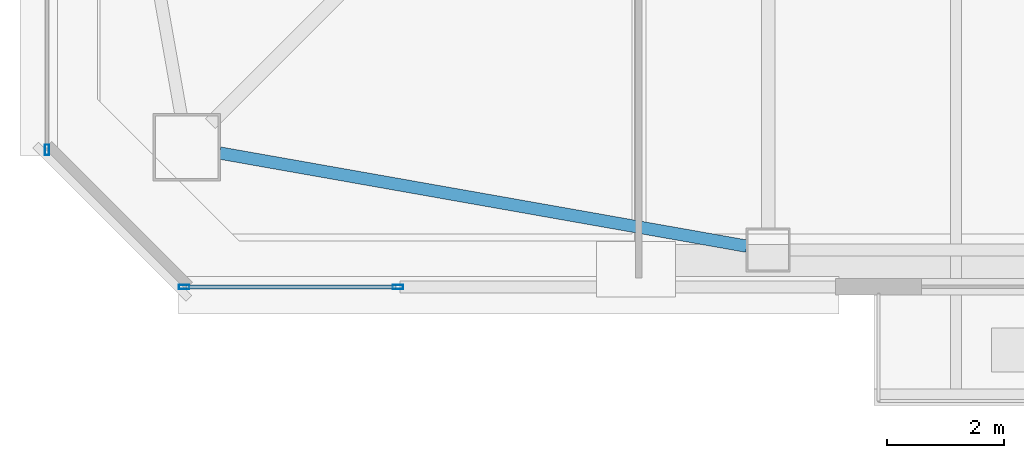
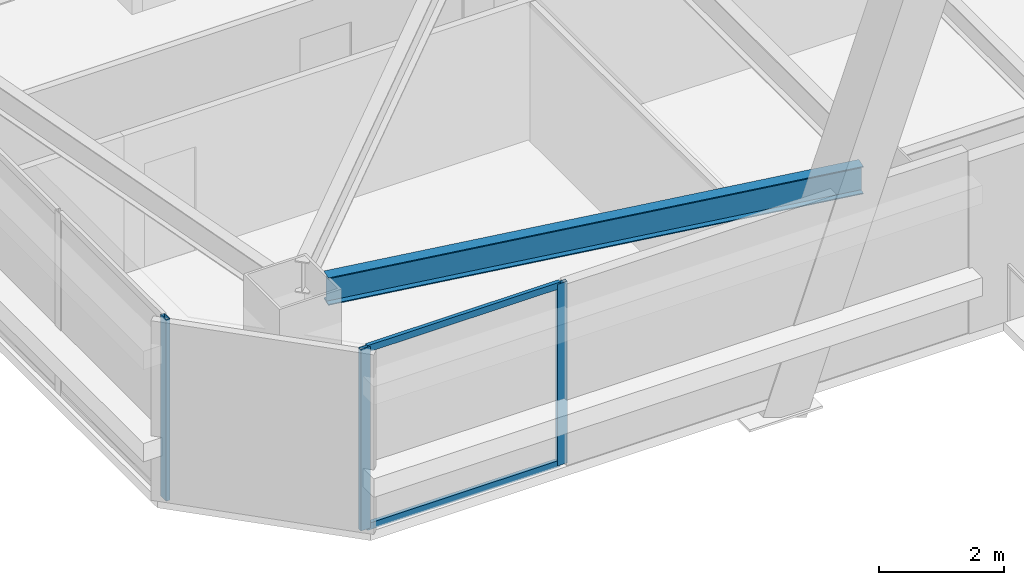
# One storey, part 3 of 55: 5 members, 1 beam, 2 elements without a shape of their own.
"""IFC4 building model written with IfcOpenShell, lengths in metres."""

from ifc_helpers import new_model, si_unit, direction, frame, origin, origin_2d, place, context, subcontext, project, spatial, hollow_rectangle, i_section, extrude, material, material_profile, profile_set, type_object, element, aggregate, save


model = new_model("IFC4")

# Units and contexts
model_context = context("Model", 3, precision=1e-05, world=origin(), true_north=direction((0.0, 1.0)))
body_context = subcontext(model_context, "Body", "Model", "MODEL_VIEW")
ifc_project = project(units=[si_unit("LENGTHUNIT", "METRE"), si_unit("AREAUNIT", "SQUARE_METRE"), si_unit("VOLUMEUNIT", "CUBIC_METRE"), si_unit("PLANEANGLEUNIT", "RADIAN"), si_unit("MASSUNIT", "GRAM", prefix="KILO")], contexts=[model_context])

# Site, building, storey
site_placement = place(None, origin())
site = spatial("IfcSite", under=ifc_project, at=site_placement, CompositionType="ELEMENT")
building_placement = place(site_placement, origin())
building = spatial("IfcBuilding", under=site, at=building_placement, Name="Tashvorn Skyway Center", CompositionType="ELEMENT")
storey_placement = place(building_placement, frame((0.0, 0.0, 178.300048828125)))
storey = spatial("IfcBuildingStorey", under=building, at=storey_placement, Name="L48", CompositionType="ELEMENT", Elevation=178.300048828125)

# Beam
ifc_material_1 = material(Name="Steel ASTM A992 Grade 50", Category="steel")
ifc_material_profile_1 = material_profile(ifc_material_1, i_section(OverallWidth=0.2109375, OverallDepth=0.5390625, WebThickness=0.01171875, FlangeThickness=0.018798828125, at=origin_2d()), Name="W21X73")
ifc_profile_set_1 = profile_set([ifc_material_profile_1], Name="Steel ASTM A992 Grade 50")
beam_type = type_object("IfcBeamType", Name="BM-SPANDREL-W21X73", PredefinedType="SPANDREL", material=ifc_profile_set_1)
beam_placement = place(storey_placement, frame((27.26123046875, 16.600830078125, 3.100341796875), z_axis=(0.984732545667, -0.174074160933, 0.0), x_axis=(0.174074160933, 0.984732545667, 0.0)))
element("IfcBeam", 1, at=beam_placement, inside=storey, type_object=beam_type, Name="Tower 1 L48 Spandrel Beam 01", PredefinedType="SPANDREL", context=body_context, shape_type="SweptSolid", body=[
    extrude(i_section(OverallWidth=0.2109375, OverallDepth=0.5390625, WebThickness=0.01171875, FlangeThickness=0.018798828125, at=origin_2d()), origin(), (0.0, 0.0, 1.0), 9.113525390625),
])

# Curtain wall, members
ifc_material_2 = material(Name="Thermally broken bronze-anodized aluminium 6063-T6", Category="aluminium")
curtain_wall_type = type_object("IfcCurtainWallType", Name="CW-CW-Z4", PredefinedType="NOTDEFINED", material=ifc_material_2)
curtain_wall_1_placement = place(storey_placement, origin())
curtain_wall_1 = element("IfcCurtainWall", 2, at=curtain_wall_1_placement, inside=storey, type_object=curtain_wall_type, Name="Tower 1 L48 South Curtain Wall R Glazing Group 1", PredefinedType="NOTDEFINED")
ifc_material_profile_2 = material_profile(ifc_material_2, hollow_rectangle(XDim=0.070068359375, YDim=0.179931640625, WallThickness=0.00390625, at=origin_2d()), Name="ALU-MULL-70x180")
ifc_profile_set_2 = profile_set([ifc_material_profile_2], Name="Thermally broken bronze-anodized aluminium 6063-T6")
member_type_1 = type_object("IfcMemberType", Name="CWM-CW-Z4", PredefinedType="MULLION", material=ifc_profile_set_2)
member_1_placement = place(storey_placement, frame((30.294921875, 14.320068359375, 0.0), z_axis=(0.0, 0.0, 1.0), x_axis=(0.0, -1.0, 0.0)))
member_1 = element("IfcMember", 3, at=member_1_placement, type_object=member_type_1, Name="CW-Z4 mullion 1", PredefinedType="MULLION", context=body_context, shape_type="SweptSolid", body=[
    extrude(hollow_rectangle(XDim=0.070068359375, YDim=0.179931640625, WallThickness=0.00390625, at=origin_2d()), origin(), (0.0, 0.0, 1.0), 3.550048828125),
])
member_2_placement = place(storey_placement, frame((26.655029296875, 14.320068359375, 0.0), z_axis=(0.0, 0.0, 1.0), x_axis=(0.0, -1.0, 0.0)))
member_2 = element("IfcMember", 4, at=member_2_placement, type_object=member_type_1, Name="CW-Z4 mullion 2", PredefinedType="MULLION", context=body_context, shape_type="SweptSolid", body=[
    extrude(hollow_rectangle(XDim=0.070068359375, YDim=0.179931640625, WallThickness=0.00390625, at=origin_2d()), origin(), (0.0, 0.0, 1.0), 3.550048828125),
])

# Curtain wall, member
curtain_wall_2_placement = place(storey_placement, origin())
curtain_wall_2 = element("IfcCurtainWall", 5, at=curtain_wall_2_placement, inside=storey, type_object=curtain_wall_type, Name="Tower 1 L48 West Unitised Curtain Wall Glazing Group 1", PredefinedType="NOTDEFINED")
member_3_placement = place(storey_placement, frame((24.320068359375, 16.655029296875, 0.0), z_axis=(0.0, 0.0, 1.0), x_axis=(-1.0, 0.0, 0.0)))
member_3 = element("IfcMember", 6, at=member_3_placement, type_object=member_type_1, Name="CW-Z4 mullion 1", PredefinedType="MULLION", context=body_context, shape_type="SweptSolid", body=[
    extrude(hollow_rectangle(XDim=0.070068359375, YDim=0.179931640625, WallThickness=0.00390625, at=origin_2d()), origin(), (0.0, 0.0, 1.0), 3.550048828125),
])
aggregate(curtain_wall_2, [member_3])

# Member
ifc_material_profile_3 = material_profile(ifc_material_2, hollow_rectangle(XDim=0.070068359375, YDim=0.1298828125, WallThickness=0.00390625, at=origin_2d()), Name="ALU-TRAN-70x130")
ifc_profile_set_3 = profile_set([ifc_material_profile_3], Name="Thermally broken bronze-anodized aluminium 6063-T6")
member_type_2 = type_object("IfcMemberType", Name="CWT-CW-Z4", PredefinedType="USERDEFINED", material=ifc_profile_set_3)
member_4_placement = place(storey_placement, frame((30.260009765625, 14.320068359375, 0.034912109375), z_axis=(-1.0, 0.0, 0.0), x_axis=(0.0, -1.0, 0.0)))
member_4 = element("IfcMember", 7, at=member_4_placement, type_object=member_type_2, Name="CW-Z4 transom 1.1", ObjectType="TRANSOM", PredefinedType="USERDEFINED", context=body_context, shape_type="SweptSolid", body=[
    extrude(hollow_rectangle(XDim=0.070068359375, YDim=0.1298828125, WallThickness=0.00390625, at=origin_2d()), origin(), (0.0, 0.0, 1.0), 3.570068359375),
])

member_5_placement = place(storey_placement, frame((30.260009765625, 14.320068359375, 3.514892578125), z_axis=(-1.0, 0.0, 0.0), x_axis=(0.0, -1.0, 0.0)))
member_5 = element("IfcMember", 8, at=member_5_placement, type_object=member_type_2, Name="CW-Z4 transom 1.2", ObjectType="TRANSOM", PredefinedType="USERDEFINED", context=body_context, shape_type="SweptSolid", body=[
    extrude(hollow_rectangle(XDim=0.070068359375, YDim=0.1298828125, WallThickness=0.00390625, at=origin_2d()), origin(), (0.0, 0.0, 1.0), 3.570068359375),
])

aggregate(curtain_wall_1, [member_1, member_2, member_4, member_5])

save(model, "model.ifc")
